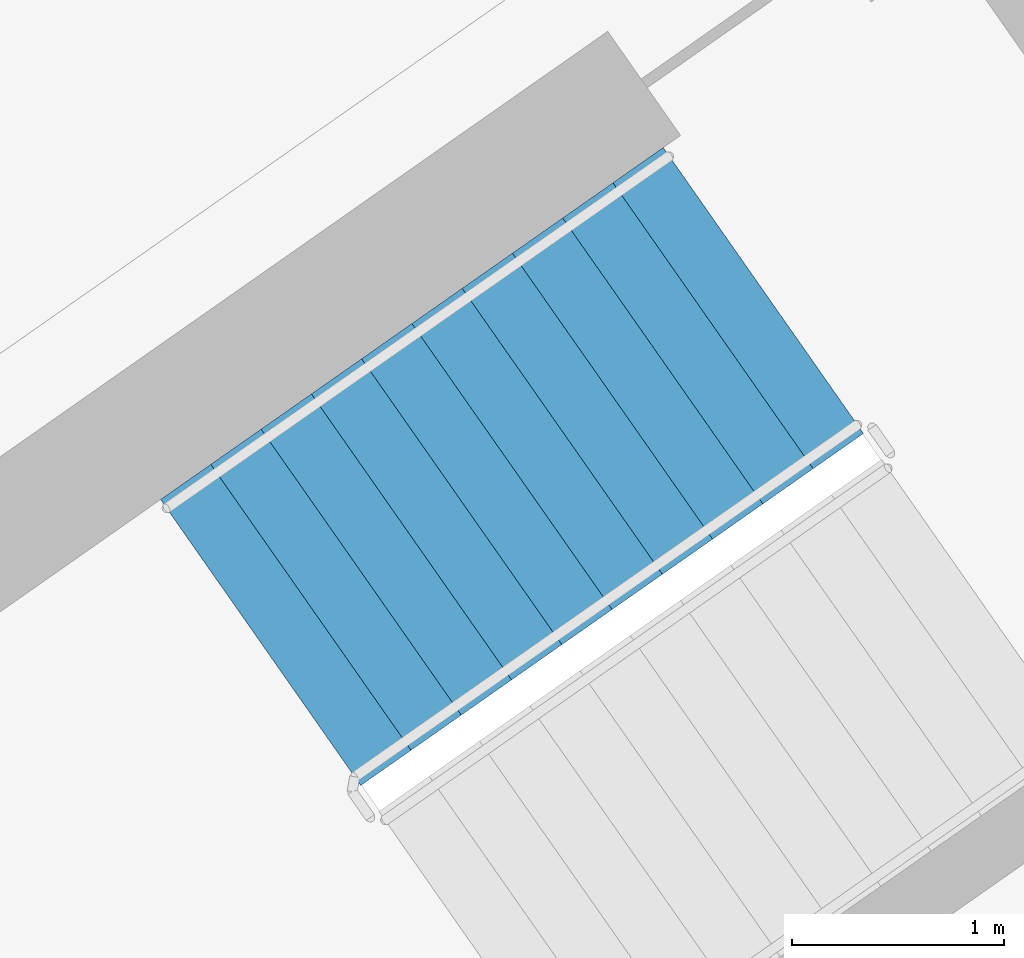
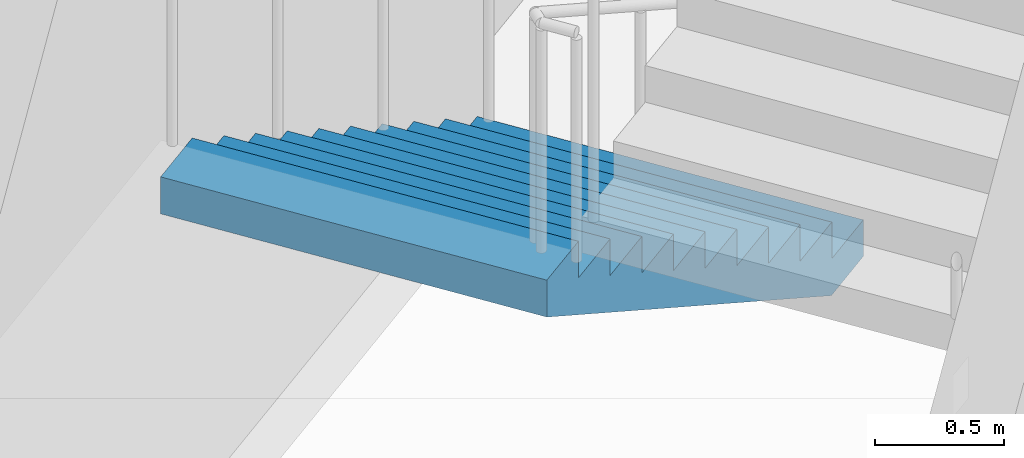
# One storey, part 17 of 28: 1 stair flight, 1 element without a shape of its own.
"""IFC4 building model written with IfcOpenShell, lengths in metres."""

from ifc_helpers import new_model, si_unit, direction, frame, origin, place, context, subcontext, project, spatial, faceted_brep, material, type_object, element, aggregate, save


model = new_model("IFC4")

# Units and contexts
model_context = context("Model", 3, precision=1e-05, world=origin(), true_north=direction((0.0, 1.0)))
body_context = subcontext(model_context, "Body", "Model", "MODEL_VIEW")
ifc_project = project(units=[si_unit("LENGTHUNIT", "METRE"), si_unit("AREAUNIT", "SQUARE_METRE"), si_unit("VOLUMEUNIT", "CUBIC_METRE"), si_unit("PLANEANGLEUNIT", "RADIAN"), si_unit("MASSUNIT", "GRAM", prefix="KILO")], contexts=[model_context])

# Site, building, storey
site_placement = place(None, origin())
site = spatial("IfcSite", under=ifc_project, at=site_placement, CompositionType="ELEMENT")
building_placement = place(site_placement, origin())
building = spatial("IfcBuilding", under=site, at=building_placement, Name="Qamariyya Broadcast Tower", CompositionType="ELEMENT")
storey_placement = place(building_placement, frame((0.0, 0.0, 269.5)))
storey = spatial("IfcBuildingStorey", under=building, at=storey_placement, Name="L65", CompositionType="ELEMENT", Elevation=269.5)

# Stair, stair flight
ifc_material = material(Name="Concrete C50/60", Category="concrete")
stair_type = type_object("IfcStairType", Name="Exit stair 22 risers of 173 mm", PredefinedType="HALF_TURN_STAIR", material=ifc_material)
stair_placement = place(storey_placement, origin())
stair = element("IfcStair", 1, at=stair_placement, inside=storey, type_object=stair_type, Name="L65 Stair E2", PredefinedType="HALF_TURN_STAIR")
stair_flight_type = type_object("IfcStairFlightType", Name="Exit stair flight 11 risers of 173 mm", PredefinedType="STRAIGHT", material=ifc_material)
stair_flight_placement = place(storey_placement, frame((40.558837890625, -47.685302734375, 0.0), z_axis=(0.0, 0.0, 1.0), x_axis=(-0.819152044289, -0.573576436351, 0.0)))
stair_flight = element("IfcStairFlight", 2, at=stair_flight_placement, type_object=stair_flight_type, Name="ST-E2 flight 1", NumberOfRisers=11, NumberOfTreads=10, PredefinedType="STRAIGHT", RiserHeight=0.172727273, TreadLength=0.29, context=body_context, shape_type="Brep", body=[
    faceted_brep([(0.0, 0.824951171875, 0.0), (0.0, 0.824951171875, 0.172607421875), (0.2900390625, 0.824951171875, 0.172607421875), (0.2900390625, 0.824951171875, 0.345458984375), (0.580078125, 0.824951171875, 0.345458984375), (0.580078125, 0.824951171875, 0.51806640625), (0.8701171875, 0.824951171875, 0.51806640625), (0.8701171875, 0.824951171875, 0.69091796875), (1.159912109375, 0.824951171875, 0.69091796875), (1.159912109375, 0.824951171875, 0.863525390625), (1.449951171875, 0.824951171875, 0.863525390625), (1.449951171875, 0.824951171875, 1.036376953125), (1.739990234375, 0.824951171875, 1.036376953125), (1.739990234375, 0.824951171875, 1.208984375), (2.030029296875, 0.824951171875, 1.208984375), (2.030029296875, 0.824951171875, 1.3818359375), (2.320068359375, 0.824951171875, 1.3818359375), (2.320068359375, 0.824951171875, 1.554443359375), (2.610107421875, 0.824951171875, 1.554443359375), (2.610107421875, 0.824951171875, 1.727294921875), (2.89990234375, 0.824951171875, 1.727294921875), (2.89990234375, 0.824951171875, 1.552734375), (0.29296875, 0.824951171875, 0.0), (0.29296875, -0.824951171875, 0.0), (2.89990234375, -0.824951171875, 1.552734375), (2.89990234375, -0.824951171875, 1.727294921875), (2.610107421875, -0.824951171875, 1.727294921875), (2.610107421875, -0.824951171875, 1.554443359375), (2.320068359375, -0.824951171875, 1.554443359375), (2.320068359375, -0.824951171875, 1.3818359375), (2.030029296875, -0.824951171875, 1.3818359375), (2.030029296875, -0.824951171875, 1.208984375), (1.739990234375, -0.824951171875, 1.208984375), (1.739990234375, -0.824951171875, 1.036376953125), (1.449951171875, -0.824951171875, 1.036376953125), (1.449951171875, -0.824951171875, 0.863525390625), (1.159912109375, -0.824951171875, 0.863525390625), (1.159912109375, -0.824951171875, 0.69091796875), (0.8701171875, -0.824951171875, 0.69091796875), (0.8701171875, -0.824951171875, 0.51806640625), (0.580078125, -0.824951171875, 0.51806640625), (0.580078125, -0.824951171875, 0.345458984375), (0.2900390625, -0.824951171875, 0.345458984375), (0.2900390625, -0.824951171875, 0.172607421875), (0.0, -0.824951171875, 0.172607421875), (0.0, -0.824951171875, 0.0), (0.0, 0.10009765625, 0.0), (0.0, 0.086669921875, 0.0), (0.0, 0.0732421875, 0.0), (0.0, 0.06005859375, 0.0), (0.0, 0.046630859375, 0.0), (0.0, 0.033447265625, 0.0), (0.0, 0.02001953125, 0.0), (0.0, 0.006591796875, 0.0), (0.0, -0.006591796875, 0.0), (0.0, -0.02001953125, 0.0), (0.0, -0.033447265625, 0.0), (0.0, -0.046630859375, 0.0), (0.0, -0.06005859375, 0.0), (0.0, -0.0732421875, 0.0), (0.0, -0.086669921875, 0.0), (0.0, -0.10009765625, 0.0), (0.0, -0.10009765625, 0.172607421875), (0.0, -0.086669921875, 0.172607421875), (0.0, -0.0732421875, 0.172607421875), (0.0, -0.06005859375, 0.172607421875), (0.0, -0.046630859375, 0.172607421875), (0.0, -0.033447265625, 0.172607421875), (0.0, -0.02001953125, 0.172607421875), (0.0, -0.006591796875, 0.172607421875), (0.0, 0.006591796875, 0.172607421875), (0.0, 0.02001953125, 0.172607421875), (0.0, 0.033447265625, 0.172607421875), (0.0, 0.046630859375, 0.172607421875), (0.0, 0.06005859375, 0.172607421875), (0.0, 0.0732421875, 0.172607421875), (0.0, 0.086669921875, 0.172607421875), (0.0, 0.10009765625, 0.172607421875), (0.2900390625, -0.10009765625, 0.172607421875), (0.2900390625, -0.086669921875, 0.172607421875), (0.2900390625, -0.0732421875, 0.172607421875), (0.2900390625, -0.06005859375, 0.172607421875), (0.2900390625, -0.046630859375, 0.172607421875), (0.2900390625, -0.033447265625, 0.172607421875), (0.2900390625, -0.02001953125, 0.172607421875), (0.2900390625, -0.006591796875, 0.172607421875), (0.2900390625, 0.006591796875, 0.172607421875), (0.2900390625, 0.02001953125, 0.172607421875), (0.2900390625, 0.033447265625, 0.172607421875), (0.2900390625, 0.046630859375, 0.172607421875), (0.2900390625, 0.06005859375, 0.172607421875), (0.2900390625, 0.0732421875, 0.172607421875), (0.2900390625, 0.086669921875, 0.172607421875), (0.2900390625, 0.10009765625, 0.172607421875), (0.2900390625, -0.10009765625, 0.345458984375), (0.2900390625, -0.086669921875, 0.345458984375), (0.2900390625, -0.0732421875, 0.345458984375), (0.2900390625, -0.06005859375, 0.345458984375), (0.2900390625, -0.046630859375, 0.345458984375), (0.2900390625, -0.033447265625, 0.345458984375), (0.2900390625, -0.02001953125, 0.345458984375), (0.2900390625, -0.006591796875, 0.345458984375), (0.2900390625, 0.006591796875, 0.345458984375), (0.2900390625, 0.02001953125, 0.345458984375), (0.2900390625, 0.033447265625, 0.345458984375), (0.2900390625, 0.046630859375, 0.345458984375), (0.2900390625, 0.06005859375, 0.345458984375), (0.2900390625, 0.0732421875, 0.345458984375), (0.2900390625, 0.086669921875, 0.345458984375), (0.2900390625, 0.10009765625, 0.345458984375), (0.580078125, -0.10009765625, 0.345458984375), (0.580078125, -0.086669921875, 0.345458984375), (0.580078125, -0.0732421875, 0.345458984375), (0.580078125, -0.06005859375, 0.345458984375), (0.580078125, -0.046630859375, 0.345458984375), (0.580078125, -0.033447265625, 0.345458984375), (0.580078125, -0.02001953125, 0.345458984375), (0.580078125, -0.006591796875, 0.345458984375), (0.580078125, 0.006591796875, 0.345458984375), (0.580078125, 0.02001953125, 0.345458984375), (0.580078125, 0.033447265625, 0.345458984375), (0.580078125, 0.046630859375, 0.345458984375), (0.580078125, 0.06005859375, 0.345458984375), (0.580078125, 0.0732421875, 0.345458984375), (0.580078125, 0.086669921875, 0.345458984375), (0.580078125, 0.10009765625, 0.345458984375), (0.580078125, -0.10009765625, 0.51806640625), (0.580078125, -0.086669921875, 0.51806640625), (0.580078125, -0.0732421875, 0.51806640625), (0.580078125, -0.06005859375, 0.51806640625), (0.580078125, -0.046630859375, 0.51806640625), (0.580078125, -0.033447265625, 0.51806640625), (0.580078125, -0.02001953125, 0.51806640625), (0.580078125, -0.006591796875, 0.51806640625), (0.580078125, 0.006591796875, 0.51806640625), (0.580078125, 0.02001953125, 0.51806640625), (0.580078125, 0.033447265625, 0.51806640625), (0.580078125, 0.046630859375, 0.51806640625), (0.580078125, 0.06005859375, 0.51806640625), (0.580078125, 0.0732421875, 0.51806640625), (0.580078125, 0.086669921875, 0.51806640625), (0.580078125, 0.10009765625, 0.51806640625), (0.8701171875, -0.10009765625, 0.51806640625), (0.8701171875, -0.086669921875, 0.51806640625), (0.8701171875, -0.0732421875, 0.51806640625), (0.8701171875, -0.06005859375, 0.51806640625), (0.8701171875, -0.046630859375, 0.51806640625), (0.8701171875, -0.033447265625, 0.51806640625), (0.8701171875, -0.02001953125, 0.51806640625), (0.8701171875, -0.006591796875, 0.51806640625), (0.8701171875, 0.006591796875, 0.51806640625), (0.8701171875, 0.02001953125, 0.51806640625), (0.8701171875, 0.033447265625, 0.51806640625), (0.8701171875, 0.046630859375, 0.51806640625), (0.8701171875, 0.06005859375, 0.51806640625), (0.8701171875, 0.0732421875, 0.51806640625), (0.8701171875, 0.086669921875, 0.51806640625), (0.8701171875, 0.10009765625, 0.51806640625), (0.8701171875, -0.10009765625, 0.69091796875), (0.8701171875, -0.086669921875, 0.69091796875), (0.8701171875, -0.0732421875, 0.69091796875), (0.8701171875, -0.06005859375, 0.69091796875), (0.8701171875, -0.046630859375, 0.69091796875), (0.8701171875, -0.033447265625, 0.69091796875), (0.8701171875, -0.02001953125, 0.69091796875), (0.8701171875, -0.006591796875, 0.69091796875), (0.8701171875, 0.006591796875, 0.69091796875), (0.8701171875, 0.02001953125, 0.69091796875), (0.8701171875, 0.033447265625, 0.69091796875), (0.8701171875, 0.046630859375, 0.69091796875), (0.8701171875, 0.06005859375, 0.69091796875), (0.8701171875, 0.0732421875, 0.69091796875), (0.8701171875, 0.086669921875, 0.69091796875), (0.8701171875, 0.10009765625, 0.69091796875), (1.159912109375, -0.10009765625, 0.69091796875), (1.159912109375, -0.086669921875, 0.69091796875), (1.159912109375, -0.0732421875, 0.69091796875), (1.159912109375, -0.06005859375, 0.69091796875), (1.159912109375, -0.046630859375, 0.69091796875), (1.159912109375, -0.033447265625, 0.69091796875), (1.159912109375, -0.02001953125, 0.69091796875), (1.159912109375, -0.006591796875, 0.69091796875), (1.159912109375, 0.006591796875, 0.69091796875), (1.159912109375, 0.02001953125, 0.69091796875), (1.159912109375, 0.033447265625, 0.69091796875), (1.159912109375, 0.046630859375, 0.69091796875), (1.159912109375, 0.06005859375, 0.69091796875), (1.159912109375, 0.0732421875, 0.69091796875), (1.159912109375, 0.086669921875, 0.69091796875), (1.159912109375, 0.10009765625, 0.69091796875), (1.159912109375, -0.10009765625, 0.863525390625), (1.159912109375, -0.086669921875, 0.863525390625), (1.159912109375, -0.0732421875, 0.863525390625), (1.159912109375, -0.06005859375, 0.863525390625), (1.159912109375, -0.046630859375, 0.863525390625), (1.159912109375, -0.033447265625, 0.863525390625), (1.159912109375, -0.02001953125, 0.863525390625), (1.159912109375, -0.006591796875, 0.863525390625), (1.159912109375, 0.006591796875, 0.863525390625), (1.159912109375, 0.02001953125, 0.863525390625), (1.159912109375, 0.033447265625, 0.863525390625), (1.159912109375, 0.046630859375, 0.863525390625), (1.159912109375, 0.06005859375, 0.863525390625), (1.159912109375, 0.0732421875, 0.863525390625), (1.159912109375, 0.086669921875, 0.863525390625), (1.159912109375, 0.10009765625, 0.863525390625), (1.449951171875, -0.10009765625, 0.863525390625), (1.449951171875, -0.086669921875, 0.863525390625), (1.449951171875, -0.0732421875, 0.863525390625), (1.449951171875, -0.06005859375, 0.863525390625), (1.449951171875, -0.046630859375, 0.863525390625), (1.449951171875, -0.033447265625, 0.863525390625), (1.449951171875, -0.02001953125, 0.863525390625), (1.449951171875, -0.006591796875, 0.863525390625), (1.449951171875, 0.006591796875, 0.863525390625), (1.449951171875, 0.02001953125, 0.863525390625), (1.449951171875, 0.033447265625, 0.863525390625), (1.449951171875, 0.046630859375, 0.863525390625), (1.449951171875, 0.06005859375, 0.863525390625), (1.449951171875, 0.0732421875, 0.863525390625), (1.449951171875, 0.086669921875, 0.863525390625), (1.449951171875, 0.10009765625, 0.863525390625), (1.449951171875, -0.10009765625, 1.036376953125), (1.449951171875, -0.086669921875, 1.036376953125), (1.449951171875, -0.0732421875, 1.036376953125), (1.449951171875, -0.06005859375, 1.036376953125), (1.449951171875, -0.046630859375, 1.036376953125), (1.449951171875, -0.033447265625, 1.036376953125), (1.449951171875, -0.02001953125, 1.036376953125), (1.449951171875, -0.006591796875, 1.036376953125), (1.449951171875, 0.006591796875, 1.036376953125), (1.449951171875, 0.02001953125, 1.036376953125), (1.449951171875, 0.033447265625, 1.036376953125), (1.449951171875, 0.046630859375, 1.036376953125), (1.449951171875, 0.06005859375, 1.036376953125), (1.449951171875, 0.0732421875, 1.036376953125), (1.449951171875, 0.086669921875, 1.036376953125), (1.449951171875, 0.10009765625, 1.036376953125), (1.739990234375, -0.10009765625, 1.036376953125), (1.739990234375, -0.086669921875, 1.036376953125), (1.739990234375, -0.0732421875, 1.036376953125), (1.739990234375, -0.06005859375, 1.036376953125), (1.739990234375, -0.046630859375, 1.036376953125), (1.739990234375, -0.033447265625, 1.036376953125), (1.739990234375, -0.02001953125, 1.036376953125), (1.739990234375, -0.006591796875, 1.036376953125), (1.739990234375, 0.006591796875, 1.036376953125), (1.739990234375, 0.02001953125, 1.036376953125), (1.739990234375, 0.033447265625, 1.036376953125), (1.739990234375, 0.046630859375, 1.036376953125), (1.739990234375, 0.06005859375, 1.036376953125), (1.739990234375, 0.0732421875, 1.036376953125), (1.739990234375, 0.086669921875, 1.036376953125), (1.739990234375, 0.10009765625, 1.036376953125), (1.739990234375, -0.10009765625, 1.208984375), (1.739990234375, -0.086669921875, 1.208984375), (1.739990234375, -0.0732421875, 1.208984375), (1.739990234375, -0.06005859375, 1.208984375), (1.739990234375, -0.046630859375, 1.208984375), (1.739990234375, -0.033447265625, 1.208984375), (1.739990234375, -0.02001953125, 1.208984375), (1.739990234375, -0.006591796875, 1.208984375), (1.739990234375, 0.006591796875, 1.208984375), (1.739990234375, 0.02001953125, 1.208984375), (1.739990234375, 0.033447265625, 1.208984375), (1.739990234375, 0.046630859375, 1.208984375), (1.739990234375, 0.06005859375, 1.208984375), (1.739990234375, 0.0732421875, 1.208984375), (1.739990234375, 0.086669921875, 1.208984375), (1.739990234375, 0.10009765625, 1.208984375), (2.030029296875, -0.10009765625, 1.208984375), (2.030029296875, -0.086669921875, 1.208984375), (2.030029296875, -0.0732421875, 1.208984375), (2.030029296875, -0.06005859375, 1.208984375), (2.030029296875, -0.046630859375, 1.208984375), (2.030029296875, -0.033447265625, 1.208984375), (2.030029296875, -0.02001953125, 1.208984375), (2.030029296875, -0.006591796875, 1.208984375), (2.030029296875, 0.006591796875, 1.208984375), (2.030029296875, 0.02001953125, 1.208984375), (2.030029296875, 0.033447265625, 1.208984375), (2.030029296875, 0.046630859375, 1.208984375), (2.030029296875, 0.06005859375, 1.208984375), (2.030029296875, 0.0732421875, 1.208984375), (2.030029296875, 0.086669921875, 1.208984375), (2.030029296875, 0.10009765625, 1.208984375), (2.030029296875, -0.10009765625, 1.3818359375), (2.030029296875, -0.086669921875, 1.3818359375), (2.030029296875, -0.0732421875, 1.3818359375), (2.030029296875, -0.06005859375, 1.3818359375), (2.030029296875, -0.046630859375, 1.3818359375), (2.030029296875, -0.033447265625, 1.3818359375), (2.030029296875, -0.02001953125, 1.3818359375), (2.030029296875, -0.006591796875, 1.3818359375), (2.030029296875, 0.006591796875, 1.3818359375), (2.030029296875, 0.02001953125, 1.3818359375), (2.030029296875, 0.033447265625, 1.3818359375), (2.030029296875, 0.046630859375, 1.3818359375), (2.030029296875, 0.06005859375, 1.3818359375), (2.030029296875, 0.0732421875, 1.3818359375), (2.030029296875, 0.086669921875, 1.3818359375), (2.030029296875, 0.10009765625, 1.3818359375), (2.320068359375, -0.10009765625, 1.3818359375), (2.320068359375, -0.086669921875, 1.3818359375), (2.320068359375, -0.0732421875, 1.3818359375), (2.320068359375, -0.06005859375, 1.3818359375), (2.320068359375, -0.046630859375, 1.3818359375), (2.320068359375, -0.033447265625, 1.3818359375), (2.320068359375, -0.02001953125, 1.3818359375), (2.320068359375, -0.006591796875, 1.3818359375), (2.320068359375, 0.006591796875, 1.3818359375), (2.320068359375, 0.02001953125, 1.3818359375), (2.320068359375, 0.033447265625, 1.3818359375), (2.320068359375, 0.046630859375, 1.3818359375), (2.320068359375, 0.06005859375, 1.3818359375), (2.320068359375, 0.0732421875, 1.3818359375), (2.320068359375, 0.086669921875, 1.3818359375), (2.320068359375, 0.10009765625, 1.3818359375), (2.320068359375, -0.10009765625, 1.554443359375), (2.320068359375, -0.086669921875, 1.554443359375), (2.320068359375, -0.0732421875, 1.554443359375), (2.320068359375, -0.06005859375, 1.554443359375), (2.320068359375, -0.046630859375, 1.554443359375), (2.320068359375, -0.033447265625, 1.554443359375), (2.320068359375, -0.02001953125, 1.554443359375), (2.320068359375, -0.006591796875, 1.554443359375), (2.320068359375, 0.006591796875, 1.554443359375), (2.320068359375, 0.02001953125, 1.554443359375), (2.320068359375, 0.033447265625, 1.554443359375), (2.320068359375, 0.046630859375, 1.554443359375), (2.320068359375, 0.06005859375, 1.554443359375), (2.320068359375, 0.0732421875, 1.554443359375), (2.320068359375, 0.086669921875, 1.554443359375), (2.320068359375, 0.10009765625, 1.554443359375), (2.610107421875, -0.10009765625, 1.554443359375), (2.610107421875, -0.086669921875, 1.554443359375), (2.610107421875, -0.0732421875, 1.554443359375), (2.610107421875, -0.06005859375, 1.554443359375), (2.610107421875, -0.046630859375, 1.554443359375), (2.610107421875, -0.033447265625, 1.554443359375), (2.610107421875, -0.02001953125, 1.554443359375), (2.610107421875, -0.006591796875, 1.554443359375), (2.610107421875, 0.006591796875, 1.554443359375), (2.610107421875, 0.02001953125, 1.554443359375), (2.610107421875, 0.033447265625, 1.554443359375), (2.610107421875, 0.046630859375, 1.554443359375), (2.610107421875, 0.06005859375, 1.554443359375), (2.610107421875, 0.0732421875, 1.554443359375), (2.610107421875, 0.086669921875, 1.554443359375), (2.610107421875, 0.10009765625, 1.554443359375), (2.610107421875, -0.10009765625, 1.727294921875), (2.610107421875, -0.086669921875, 1.727294921875), (2.610107421875, -0.0732421875, 1.727294921875), (2.610107421875, -0.06005859375, 1.727294921875), (2.610107421875, -0.046630859375, 1.727294921875), (2.610107421875, -0.033447265625, 1.727294921875), (2.610107421875, -0.02001953125, 1.727294921875), (2.610107421875, -0.006591796875, 1.727294921875), (2.610107421875, 0.006591796875, 1.727294921875), (2.610107421875, 0.02001953125, 1.727294921875), (2.610107421875, 0.033447265625, 1.727294921875), (2.610107421875, 0.046630859375, 1.727294921875), (2.610107421875, 0.06005859375, 1.727294921875), (2.610107421875, 0.0732421875, 1.727294921875), (2.610107421875, 0.086669921875, 1.727294921875), (2.610107421875, 0.10009765625, 1.727294921875), (2.89990234375, -0.10009765625, 1.727294921875), (2.89990234375, -0.086669921875, 1.727294921875), (2.89990234375, -0.0732421875, 1.727294921875), (2.89990234375, -0.06005859375, 1.727294921875), (2.89990234375, -0.046630859375, 1.727294921875), (2.89990234375, -0.033447265625, 1.727294921875), (2.89990234375, -0.02001953125, 1.727294921875), (2.89990234375, -0.006591796875, 1.727294921875), (2.89990234375, 0.006591796875, 1.727294921875), (2.89990234375, 0.02001953125, 1.727294921875), (2.89990234375, 0.033447265625, 1.727294921875), (2.89990234375, 0.046630859375, 1.727294921875), (2.89990234375, 0.06005859375, 1.727294921875), (2.89990234375, 0.0732421875, 1.727294921875), (2.89990234375, 0.086669921875, 1.727294921875), (2.89990234375, 0.10009765625, 1.727294921875), (2.89990234375, -0.10009765625, 1.552734375), (2.89990234375, -0.086669921875, 1.552734375), (2.89990234375, -0.0732421875, 1.552734375), (2.89990234375, -0.06005859375, 1.552734375), (2.89990234375, -0.046630859375, 1.552734375), (2.89990234375, -0.033447265625, 1.552734375), (2.89990234375, -0.02001953125, 1.552734375), (2.89990234375, -0.006591796875, 1.552734375), (2.89990234375, 0.006591796875, 1.552734375), (2.89990234375, 0.02001953125, 1.552734375), (2.89990234375, 0.033447265625, 1.552734375), (2.89990234375, 0.046630859375, 1.552734375), (2.89990234375, 0.06005859375, 1.552734375), (2.89990234375, 0.0732421875, 1.552734375), (2.89990234375, 0.086669921875, 1.552734375), (2.89990234375, 0.10009765625, 1.552734375), (0.29296875, -0.10009765625, 0.0), (0.29296875, -0.086669921875, 0.0), (0.29296875, -0.0732421875, 0.0), (0.29296875, -0.06005859375, 0.0), (0.29296875, -0.046630859375, 0.0), (0.29296875, -0.033447265625, 0.0), (0.29296875, -0.02001953125, 0.0), (0.29296875, -0.006591796875, 0.0), (0.29296875, 0.006591796875, 0.0), (0.29296875, 0.02001953125, 0.0), (0.29296875, 0.033447265625, 0.0), (0.29296875, 0.046630859375, 0.0), (0.29296875, 0.06005859375, 0.0), (0.29296875, 0.0732421875, 0.0), (0.29296875, 0.086669921875, 0.0), (0.29296875, 0.10009765625, 0.0)], [[[0, 1, 2, 3, 4, 5, 6, 7, 8, 9, 10, 11, 12, 13, 14, 15, 16, 17, 18, 19, 20, 21, 22]], [[23, 24, 25, 26, 27, 28, 29, 30, 31, 32, 33, 34, 35, 36, 37, 38, 39, 40, 41, 42, 43, 44, 45]], [[0, 46, 47, 48, 49, 50, 51, 52, 53, 54, 55, 56, 57, 58, 59, 60, 61, 45, 44, 62, 63, 64, 65, 66, 67, 68, 69, 70, 71, 72, 73, 74, 75, 76, 77, 1]], [[1, 77, 76, 75, 74, 73, 72, 71, 70, 69, 68, 67, 66, 65, 64, 63, 62, 44, 43, 78, 79, 80, 81, 82, 83, 84, 85, 86, 87, 88, 89, 90, 91, 92, 93, 2]], [[2, 93, 92, 91, 90, 89, 88, 87, 86, 85, 84, 83, 82, 81, 80, 79, 78, 43, 42, 94, 95, 96, 97, 98, 99, 100, 101, 102, 103, 104, 105, 106, 107, 108, 109, 3]], [[3, 109, 108, 107, 106, 105, 104, 103, 102, 101, 100, 99, 98, 97, 96, 95, 94, 42, 41, 110, 111, 112, 113, 114, 115, 116, 117, 118, 119, 120, 121, 122, 123, 124, 125, 4]], [[4, 125, 124, 123, 122, 121, 120, 119, 118, 117, 116, 115, 114, 113, 112, 111, 110, 41, 40, 126, 127, 128, 129, 130, 131, 132, 133, 134, 135, 136, 137, 138, 139, 140, 141, 5]], [[5, 141, 140, 139, 138, 137, 136, 135, 134, 133, 132, 131, 130, 129, 128, 127, 126, 40, 39, 142, 143, 144, 145, 146, 147, 148, 149, 150, 151, 152, 153, 154, 155, 156, 157, 6]], [[6, 157, 156, 155, 154, 153, 152, 151, 150, 149, 148, 147, 146, 145, 144, 143, 142, 39, 38, 158, 159, 160, 161, 162, 163, 164, 165, 166, 167, 168, 169, 170, 171, 172, 173, 7]], [[7, 173, 172, 171, 170, 169, 168, 167, 166, 165, 164, 163, 162, 161, 160, 159, 158, 38, 37, 174, 175, 176, 177, 178, 179, 180, 181, 182, 183, 184, 185, 186, 187, 188, 189, 8]], [[8, 189, 188, 187, 186, 185, 184, 183, 182, 181, 180, 179, 178, 177, 176, 175, 174, 37, 36, 190, 191, 192, 193, 194, 195, 196, 197, 198, 199, 200, 201, 202, 203, 204, 205, 9]], [[9, 205, 204, 203, 202, 201, 200, 199, 198, 197, 196, 195, 194, 193, 192, 191, 190, 36, 35, 206, 207, 208, 209, 210, 211, 212, 213, 214, 215, 216, 217, 218, 219, 220, 221, 10]], [[10, 221, 220, 219, 218, 217, 216, 215, 214, 213, 212, 211, 210, 209, 208, 207, 206, 35, 34, 222, 223, 224, 225, 226, 227, 228, 229, 230, 231, 232, 233, 234, 235, 236, 237, 11]], [[11, 237, 236, 235, 234, 233, 232, 231, 230, 229, 228, 227, 226, 225, 224, 223, 222, 34, 33, 238, 239, 240, 241, 242, 243, 244, 245, 246, 247, 248, 249, 250, 251, 252, 253, 12]], [[12, 253, 252, 251, 250, 249, 248, 247, 246, 245, 244, 243, 242, 241, 240, 239, 238, 33, 32, 254, 255, 256, 257, 258, 259, 260, 261, 262, 263, 264, 265, 266, 267, 268, 269, 13]], [[13, 269, 268, 267, 266, 265, 264, 263, 262, 261, 260, 259, 258, 257, 256, 255, 254, 32, 31, 270, 271, 272, 273, 274, 275, 276, 277, 278, 279, 280, 281, 282, 283, 284, 285, 14]], [[14, 285, 284, 283, 282, 281, 280, 279, 278, 277, 276, 275, 274, 273, 272, 271, 270, 31, 30, 286, 287, 288, 289, 290, 291, 292, 293, 294, 295, 296, 297, 298, 299, 300, 301, 15]], [[15, 301, 300, 299, 298, 297, 296, 295, 294, 293, 292, 291, 290, 289, 288, 287, 286, 30, 29, 302, 303, 304, 305, 306, 307, 308, 309, 310, 311, 312, 313, 314, 315, 316, 317, 16]], [[16, 317, 316, 315, 314, 313, 312, 311, 310, 309, 308, 307, 306, 305, 304, 303, 302, 29, 28, 318, 319, 320, 321, 322, 323, 324, 325, 326, 327, 328, 329, 330, 331, 332, 333, 17]], [[17, 333, 332, 331, 330, 329, 328, 327, 326, 325, 324, 323, 322, 321, 320, 319, 318, 28, 27, 334, 335, 336, 337, 338, 339, 340, 341, 342, 343, 344, 345, 346, 347, 348, 349, 18]], [[18, 349, 348, 347, 346, 345, 344, 343, 342, 341, 340, 339, 338, 337, 336, 335, 334, 27, 26, 350, 351, 352, 353, 354, 355, 356, 357, 358, 359, 360, 361, 362, 363, 364, 365, 19]], [[19, 365, 364, 363, 362, 361, 360, 359, 358, 357, 356, 355, 354, 353, 352, 351, 350, 26, 25, 366, 367, 368, 369, 370, 371, 372, 373, 374, 375, 376, 377, 378, 379, 380, 381, 20]], [[20, 381, 380, 379, 378, 377, 376, 375, 374, 373, 372, 371, 370, 369, 368, 367, 366, 25, 24, 382, 383, 384, 385, 386, 387, 388, 389, 390, 391, 392, 393, 394, 395, 396, 397, 21]], [[21, 397, 396, 395, 394, 393, 392, 391, 390, 389, 388, 387, 386, 385, 384, 383, 382, 24, 23, 398, 399, 400, 401, 402, 403, 404, 405, 406, 407, 408, 409, 410, 411, 412, 413, 22]], [[22, 413, 412, 411, 410, 409, 408, 407, 406, 405, 404, 403, 402, 401, 400, 399, 398, 23, 45, 61, 60, 59, 58, 57, 56, 55, 54, 53, 52, 51, 50, 49, 48, 47, 46, 0]]]),
])
aggregate(stair, [stair_flight])

save(model, "model.ifc")
